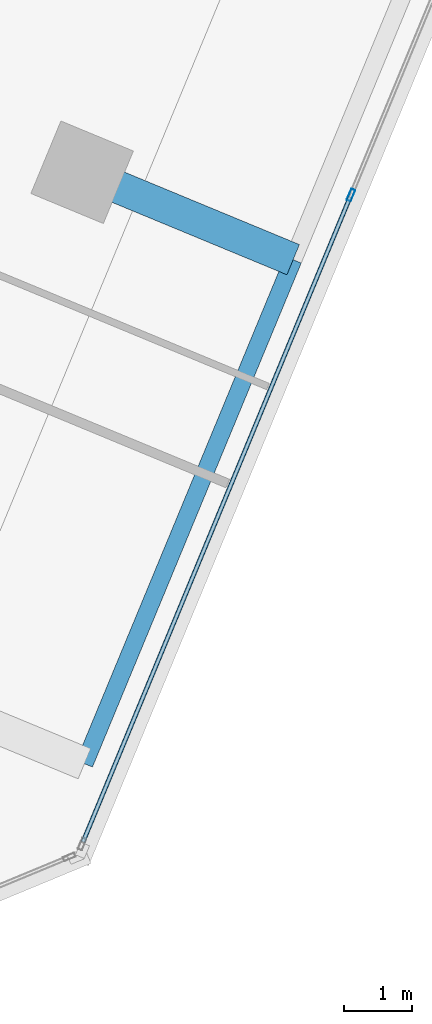
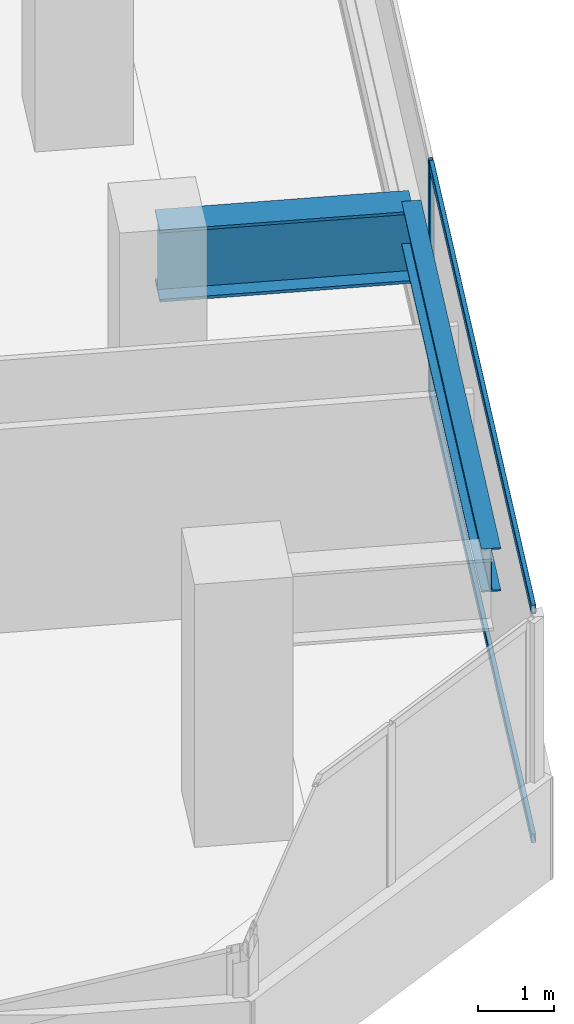
# One storey, part 8 of 24: 3 members, 2 beams, 1 element without a shape of its own.
"""IFC4 building model written with IfcOpenShell, lengths in metres."""

from ifc_helpers import new_model, si_unit, direction, frame, origin, origin_2d, place, context, subcontext, project, spatial, hollow_rectangle, i_section, extrude, source, transform, mapped, material, material_profile, profile_set, type_object, element, aggregate, save


model = new_model("IFC4")

# Units and contexts
model_context = context("Model", 3, precision=1e-05, world=origin(), true_north=direction((0.0, 1.0)))
body_context = subcontext(model_context, "Body", "Model", "MODEL_VIEW")
ifc_project = project(units=[si_unit("LENGTHUNIT", "METRE"), si_unit("AREAUNIT", "SQUARE_METRE"), si_unit("VOLUMEUNIT", "CUBIC_METRE"), si_unit("PLANEANGLEUNIT", "RADIAN"), si_unit("MASSUNIT", "GRAM", prefix="KILO")], contexts=[model_context])

# Site, building, storey
site_placement = place(None, origin())
site = spatial("IfcSite", under=ifc_project, at=site_placement, CompositionType="ELEMENT")
building_placement = place(site_placement, origin())
building = spatial("IfcBuilding", under=site, at=building_placement, Name="Torre Montelarca", CompositionType="ELEMENT")
storey_placement = place(building_placement, frame((0.0, 0.0, 141.39990234375)))
storey = spatial("IfcBuildingStorey", under=building, at=storey_placement, Name="L31", CompositionType="ELEMENT", Elevation=141.39990234375)

# Beams
ifc_material_1 = material(Name="Steel ASTM A572 Grade 50", Category="steel")
ifc_material_profile_1 = material_profile(ifc_material_1, i_section(OverallWidth=0.47998046875, OverallDepth=1.14990234375, WebThickness=0.02197265625, FlangeThickness=0.044921875, at=origin_2d()), Name="PG1150X480X22X45", Category="steel")
ifc_profile_set_1 = profile_set([ifc_material_profile_1], Name="Steel ASTM A572 Grade 50")
beam_type_1 = type_object("IfcBeamType", Name="BM-CG-PG1400-EXT", PredefinedType="USERDEFINED", material=ifc_profile_set_1)
shared_shape_1 = source(origin(), body_context, "Body", "SweptSolid", [
    extrude(i_section(OverallWidth=0.47998046875, OverallDepth=1.14990234375, WebThickness=0.02197265625, FlangeThickness=0.044921875, at=origin_2d()), origin(), (0.0, 0.0, 1.0), 3.349853515625),
])
beam_1_placement = place(storey_placement, frame((45.98291015625, 21.85888671875, 3.385009765625), z_axis=(0.923879154523, -0.382684344908, 0.0), x_axis=(0.382684344908, 0.923879154523, 0.0)))
element("IfcBeam", 1, at=beam_1_placement, inside=storey, type_object=beam_type_1, Name="L31 Sliding Tray Cantilever Girder East Y=32m (FLR)", ObjectType="CANTILEVER GIRDER", PredefinedType="USERDEFINED", context=body_context, shape_type="MappedRepresentation", body=[
    mapped(shared_shape_1, transform((0.0, 0.0, 0.0), scale=1.0)),
])
ifc_material_2 = material(Name="Steel ASTM A992 Grade 50", Category="steel")
ifc_material_profile_2 = material_profile(ifc_material_2, i_section(OverallWidth=0.256103515625, OverallDepth=0.693115234375, WebThickness=0.014404296875, FlangeThickness=0.023681640625, FilletRadius=0.01806640625, at=origin_2d()), Name="W690X170", Category="steel")
ifc_profile_set_2 = profile_set([ifc_material_profile_2], Name="Steel ASTM A992 Grade 50")
beam_type_2 = type_object("IfcBeamType", Name="BM-G-W690-EXT", PredefinedType="BEAM", material=ifc_profile_set_2)
shared_shape_2 = source(origin(), body_context, "Body", "SweptSolid", [
    extrude(i_section(OverallWidth=0.256103515625, OverallDepth=0.693115234375, WebThickness=0.014404296875, FlangeThickness=0.023681640625, FilletRadius=0.01806640625, at=origin_2d()), origin(), (0.0, 0.0, 1.0), 8.0),
])
beam_2_placement = place(storey_placement, frame((46.016357421875, 13.185791015625, 3.614013671875), z_axis=(0.382686001036, 0.923878468529, 0.0), x_axis=(-0.923878468529, 0.382686001036, 0.0)))
element("IfcBeam", 2, at=beam_2_placement, inside=storey, type_object=beam_type_2, Name="L31 Sliding Tray Edge Girder East 24-32m (FLR)", PredefinedType="BEAM", context=body_context, shape_type="MappedRepresentation", body=[
    mapped(shared_shape_2, transform((0.0, 0.0, 0.0), scale=1.0)),
])

# Curtain wall, members
ifc_material_3 = material(Name="Insulated low-E laminated glass", Category="glass")
curtain_wall_type = type_object("IfcCurtainWallType", Name="CW-SYS-Z2", PredefinedType="USERDEFINED", material=ifc_material_3)
curtain_wall_placement = place(storey_placement, origin())
curtain_wall = element("IfcCurtainWall", 3, at=curtain_wall_placement, inside=storey, type_object=curtain_wall_type, Name="L31 Curtain Wall Run CW-T3-L31-E06-B1", ObjectType="UNITISED GLAZING", PredefinedType="USERDEFINED")
ifc_material_4 = material(Name="Anodised aluminium AA 6063-T6", Category="aluminium")
ifc_material_profile_3 = material_profile(ifc_material_4, hollow_rectangle(XDim=0.06494140625, YDim=0.139892578125, WallThickness=0.00390625, InnerFilletRadius=0.00390625, OuterFilletRadius=0.008056640625, at=origin_2d()), Name="ALU65X140X4", Category="aluminium")
ifc_profile_set_3 = profile_set([ifc_material_profile_3], Name="Anodised aluminium AA 6063-T6")
member_type_1 = type_object("IfcMemberType", Name="CWT-ALU140", PredefinedType="USERDEFINED", material=ifc_profile_set_3)
shared_shape_3 = source(origin(), body_context, "Body", "SweptSolid", [
    extrude(hollow_rectangle(XDim=0.06494140625, YDim=0.139892578125, WallThickness=0.00390625, InnerFilletRadius=0.00390625, OuterFilletRadius=0.008056640625, at=origin_2d()), origin(), (0.0, 0.0, 1.0), 10.236572265625),
])
member_1_placement = place(storey_placement, frame((45.995361328125, 12.037353515625, 0.03271484375), z_axis=(0.382667045409, 0.923886320041, 0.0), x_axis=(-0.923886320041, 0.382667045409, 0.0)))
member_1 = element("IfcMember", 4, at=member_1_placement, type_object=member_type_1, Name="CW transom 1.1", ObjectType="TRANSOM", PredefinedType="USERDEFINED", context=body_context, shape_type="MappedRepresentation", body=[
    mapped(shared_shape_3, transform((0.0, 0.0, 0.0), scale=1.0)),
])
member_2_placement = place(storey_placement, frame((45.995361328125, 12.037353515625, 3.6875), z_axis=(0.382667045409, 0.923886320041, 0.0), x_axis=(-0.923886320041, 0.382667045409, 0.0)))
member_2 = element("IfcMember", 5, at=member_2_placement, type_object=member_type_1, Name="CW transom 1.2", ObjectType="TRANSOM", PredefinedType="USERDEFINED", context=body_context, shape_type="MappedRepresentation", body=[
    mapped(shared_shape_3, transform((0.0, 0.0, 0.0), scale=1.0)),
])
ifc_material_profile_4 = material_profile(ifc_material_4, hollow_rectangle(XDim=0.06494140625, YDim=0.179931640625, WallThickness=0.00390625, InnerFilletRadius=0.00390625, OuterFilletRadius=0.008056640625, at=origin_2d()), Name="ALU65X180X4", Category="aluminium")
ifc_profile_set_4 = profile_set([ifc_material_profile_4], Name="Anodised aluminium AA 6063-T6")
member_type_2 = type_object("IfcMemberType", Name="CWM-ALU180", PredefinedType="MULLION", material=ifc_profile_set_4)
shared_shape_4 = source(origin(), body_context, "Body", "SweptSolid", [
    extrude(hollow_rectangle(XDim=0.06494140625, YDim=0.179931640625, WallThickness=0.00390625, InnerFilletRadius=0.00390625, OuterFilletRadius=0.008056640625, at=origin_2d()), origin(), (0.0, 0.0, 1.0), 3.72021484375),
])
member_3_placement = place(storey_placement, frame((49.925048828125, 21.52490234375, 0.0), z_axis=(0.0, 0.0, 1.0), x_axis=(-0.923881379508, 0.38267897329, 0.0)))
member_3 = element("IfcMember", 6, at=member_3_placement, type_object=member_type_2, Name="CW mullion 2", PredefinedType="MULLION", context=body_context, shape_type="MappedRepresentation", body=[
    mapped(shared_shape_4, transform((0.0, 0.0, 0.0), scale=1.0)),
])
aggregate(curtain_wall, [member_3, member_1, member_2])

save(model, "model.ifc")
